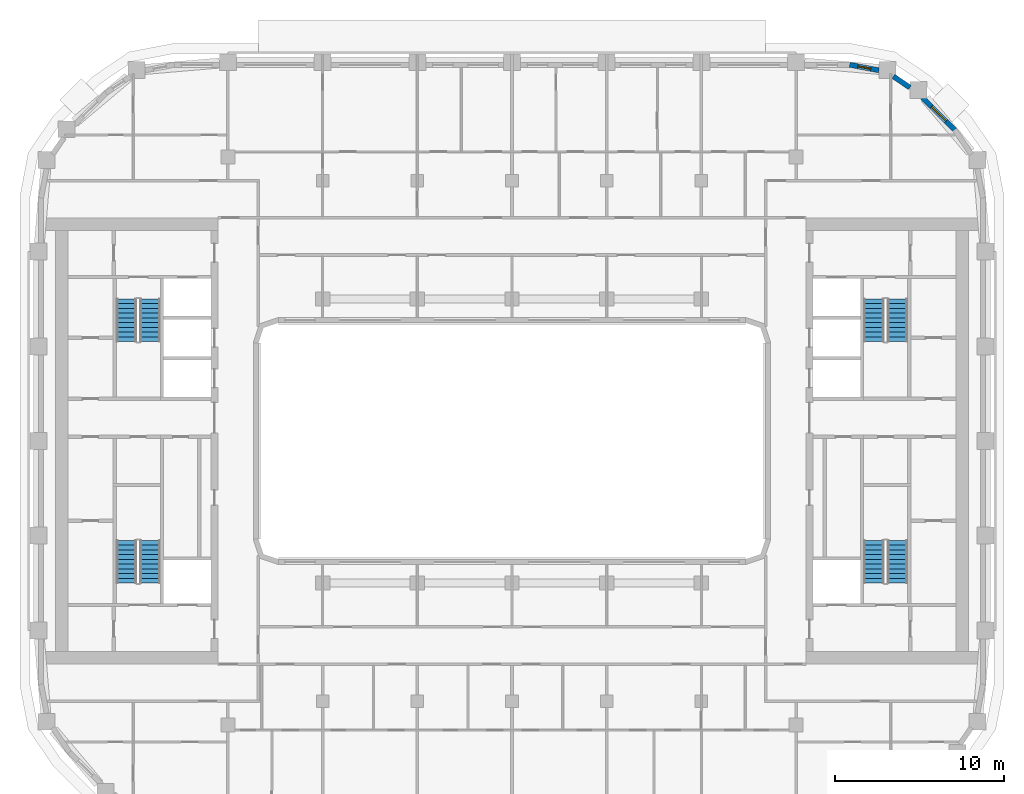
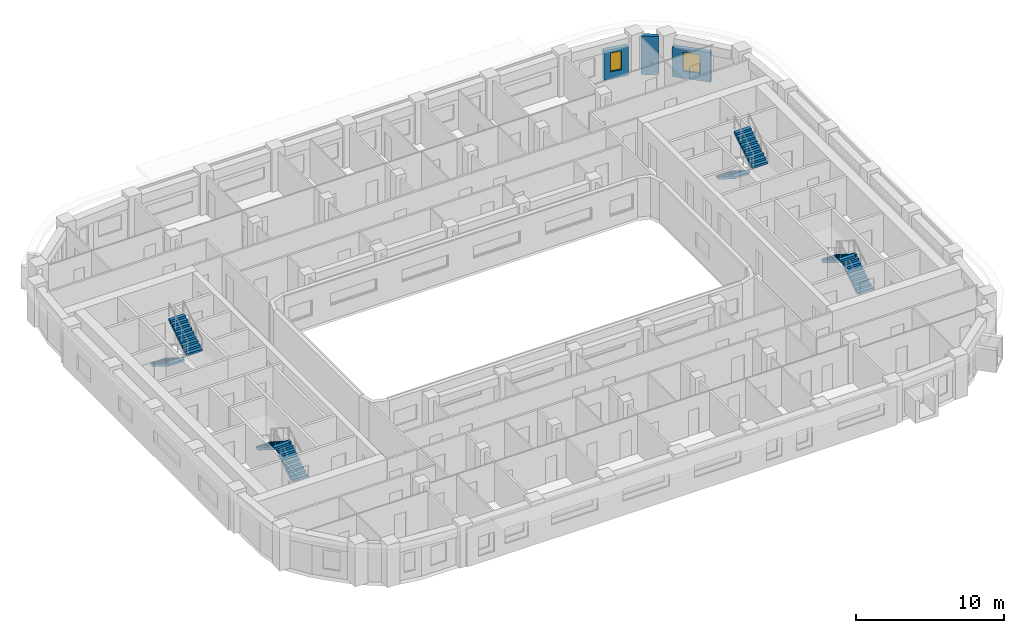
# One storey, part 10 of 22: 8 stair flights, 3 walls, 2 windows, 2 openings, 4 elements without a shape of their own.
"""IFC4 building model written with IfcOpenShell, lengths in metres."""

from ifc_helpers import new_model, si_unit, direction, frame, frame_2d, origin, place, context, subcontext, project, spatial, polyline, rectangle, outline, extrude, material, layer, layer_set, type_object, element, fill, aggregate, save


model = new_model("IFC4")

# Units and contexts
model_context = context("Model", 3, precision=1e-05, world=origin(), true_north=direction((0.0, 1.0)))
body_context = subcontext(model_context, "Body", "Model", "MODEL_VIEW")
ifc_project = project(units=[si_unit("LENGTHUNIT", "METRE"), si_unit("AREAUNIT", "SQUARE_METRE"), si_unit("VOLUMEUNIT", "CUBIC_METRE"), si_unit("PLANEANGLEUNIT", "RADIAN"), si_unit("MASSUNIT", "GRAM", prefix="KILO")], contexts=[model_context])

# Site, building, storey
site_placement = place(None, origin())
site = spatial("IfcSite", under=ifc_project, at=site_placement, CompositionType="ELEMENT")
building_placement = place(site_placement, origin())
building = spatial("IfcBuilding", under=site, at=building_placement, Name="Kiln Ring Residences", CompositionType="ELEMENT")
storey_placement = place(building_placement, frame((0.0, 0.0, 164.10009765625)))
storey = spatial("IfcBuildingStorey", under=building, at=storey_placement, Name="L42", CompositionType="ELEMENT", Elevation=164.10009765625)

# Wall, opening, window
ifc_material_1 = material(Name="Brick masonry, dark clay brick", Category="masonry")
ifc_layer = layer(ifc_material_1, 0.300048828125)
ifc_layer_set = layer_set([ifc_layer], Name="EW-300 BRICK WALL")
wall_type = type_object("IfcWallType", Name="EW-300 BRICK WALL", PredefinedType="SOLIDWALL", material=ifc_layer_set)
wall_1_placement = place(storey_placement, frame((26.19677734375, 18.390869140625, 0.0), z_axis=(0.0, 0.0, 1.0), x_axis=(-0.707061571201, 0.707151988282, 0.0)))
wall_1 = element("IfcWall", 1, at=wall_1_placement, inside=storey, type_object=wall_type, Name="Facade wall L42 25", PredefinedType="SOLIDWALL", context=body_context, shape_type="SweptSolid", body=[
    extrude(rectangle(XDim=2.7001953125, YDim=0.300048828125, at=frame_2d((1.35009765625, 0.0))), origin(), (0.0, 0.0, 1.0), 2.449951171875),
])
opening_1_placement = place(wall_1_placement, frame((0.75, 0.0, 0.60009765625)))
opening_1 = element("IfcOpeningElement", 2, at=opening_1_placement, cuts=wall_1, Name="Opening W1", PredefinedType="OPENING", context=body_context, shape_type="SweptSolid", body=[
    extrude(rectangle(XDim=1.199951171875, YDim=1.550048828125, at=frame_2d((0.60009765625, 0.77490234375))), frame((0.0, 0.159912109375, 0.0), z_axis=(0.0, -1.0, 0.0), x_axis=(1.0, 0.0, 0.0)), (0.0, 0.0, 1.0), 0.320068359375),
])
ifc_material_2 = material(Name="Aluminium frame with double glazing", Category="aluminium")
window_type_1 = type_object("IfcWindowType", Name="WINDOW 1200 x 1550", PartitioningType="SINGLE_PANEL", PredefinedType="WINDOW", material=ifc_material_2)
window_1_placement = place(opening_1_placement, origin())
window_1 = element("IfcWindow", 3, at=window_1_placement, inside=storey, type_object=window_type_1, Name="Window L42 16", OverallHeight=1.550048828125, OverallWidth=1.199951171875, PartitioningType="SINGLE_PANEL", PredefinedType="WINDOW", context=body_context, shape_type="SweptSolid", body=[
    extrude(rectangle(XDim=1.199951171875, YDim=1.550048828125, at=frame_2d((0.60009765625, 0.77490234375))), frame((0.0, 0.030029296875, 0.0), z_axis=(0.0, -1.0, 0.0), x_axis=(1.0, 0.0, 0.0)), (0.0, 0.0, 1.0), 0.06005859375),
])
fill(opening_1, window_1)

# Wall
wall_2_placement = place(storey_placement, frame((23.533935546875, 20.904296875, 0.0), z_axis=(0.0, 0.0, 1.0), x_axis=(-0.827103906596, 0.56204904385, 0.0)))
element("IfcWall", 4, at=wall_2_placement, inside=storey, type_object=wall_type, Name="Facade wall L42 26", PredefinedType="SOLIDWALL", context=body_context, shape_type="SweptSolid", body=[
    extrude(rectangle(XDim=1.17724609375, YDim=0.300048828125, at=frame_2d((0.588623046875, 0.0))), origin(), (0.0, 0.0, 1.0), 3.199951171875),
])

# Wall, opening, window
wall_3_placement = place(storey_placement, frame((21.697021484375, 21.923583984375, 0.0), z_axis=(0.0, 0.0, 1.0), x_axis=(-0.982284988433, 0.187393173565, 0.0)))
wall_3 = element("IfcWall", 5, at=wall_3_placement, inside=storey, type_object=wall_type, Name="Facade wall L42 27", PredefinedType="SOLIDWALL", context=body_context, shape_type="SweptSolid", body=[
    extrude(rectangle(XDim=1.756103515625, YDim=0.300048828125, at=frame_2d((0.8779296875, 0.0))), origin(), (0.0, 0.0, 1.0), 2.449951171875),
])
opening_2_placement = place(wall_3_placement, frame((0.47802734375, 0.0, 0.60009765625)))
opening_2 = element("IfcOpeningElement", 6, at=opening_2_placement, cuts=wall_3, Name="Opening W5", PredefinedType="OPENING", context=body_context, shape_type="SweptSolid", body=[
    extrude(rectangle(XDim=0.800048828125, YDim=1.550048828125, at=frame_2d((0.39990234375, 0.77490234375))), frame((0.0, 0.159912109375, 0.0), z_axis=(0.0, -1.0, 0.0), x_axis=(1.0, 0.0, 0.0)), (0.0, 0.0, 1.0), 0.320068359375),
])
ifc_material_3 = material(Name="Aluminium frame with double glazing", Category="aluminium")
window_type_2 = type_object("IfcWindowType", Name="WINDOW 800 x 1550", PartitioningType="SINGLE_PANEL", PredefinedType="WINDOW", material=ifc_material_3)
window_2_placement = place(opening_2_placement, origin())
window_2 = element("IfcWindow", 7, at=window_2_placement, inside=storey, type_object=window_type_2, Name="Window L42 17", OverallHeight=1.550048828125, OverallWidth=0.800048828125, PartitioningType="SINGLE_PANEL", PredefinedType="WINDOW", context=body_context, shape_type="SweptSolid", body=[
    extrude(rectangle(XDim=0.800048828125, YDim=1.550048828125, at=frame_2d((0.39990234375, 0.77490234375))), frame((0.0, 0.030029296875, 0.0), z_axis=(0.0, -1.0, 0.0), x_axis=(1.0, 0.0, 0.0)), (0.0, 0.0, 1.0), 0.06005859375),
])
fill(opening_2, window_2)

# Stair, stair flights
ifc_material_4 = material(Name="Concrete C40/50", Category="concrete")
stair_type = type_object("IfcStairType", Name="CORE-STAIR", PredefinedType="HALF_TURN_STAIR", material=ifc_material_4)
placement = place(storey_placement, origin())
stair_1 = element("IfcStair", 8, at=placement, inside=storey, type_object=stair_type, Name="L42 stair W-STN", PredefinedType="HALF_TURN_STAIR")
ifc_material_5 = material(Name="Concrete C40/50", Category="concrete")
stair_flight_type = type_object("IfcStairFlightType", Name="CORE-STAIR-FLIGHT", PredefinedType="STRAIGHT", material=ifc_material_5)
stair_flight_1_placement = place(storey_placement, frame((-22.800048828125, 8.39990234375, 0.0), z_axis=(0.0, 0.0, 1.0), x_axis=(0.0, -1.0, 0.0)))
stair_flight_1 = element("IfcStairFlight", 9, at=stair_flight_1_placement, type_object=stair_flight_type, Name="W-STN flight 1", NumberOfRisers=10, NumberOfTreads=9, PredefinedType="STRAIGHT", RiserHeight=0.175, TreadLength=0.28, context=body_context, shape_type="SweptSolid", body=[
    extrude(outline(polyline([(0.0, 0.0), (0.0, 0.175048828125), (0.280029296875, 0.175048828125), (0.280029296875, 0.35009765625), (0.56005859375, 0.35009765625), (0.56005859375, 0.52490234375), (0.840087890625, 0.52490234375), (0.840087890625, 0.699951171875), (1.1201171875, 0.699951171875), (1.1201171875, 0.875), (1.39990234375, 0.875), (1.39990234375, 1.050048828125), (1.679931640625, 1.050048828125), (1.679931640625, 1.22509765625), (1.9599609375, 1.22509765625), (1.9599609375, 1.39990234375), (2.239990234375, 1.39990234375), (2.239990234375, 1.574951171875), (2.52001953125, 1.574951171875), (2.52001953125, 1.75), (2.52001953125, 1.398193359375), (0.28271484375, 0.0), (0.0, 0.0)])), frame((0.0, 0.60009765625, 0.0), z_axis=(0.0, -1.0, 0.0), x_axis=(1.0, 0.0, 0.0)), (0.0, 0.0, 1.0), 1.199951171875),
])
stair_flight_2_placement = place(storey_placement, frame((-21.39990234375, 5.8798828125, 1.75), z_axis=(0.0, 0.0, 1.0), x_axis=(0.0, 1.0, 0.0)))
stair_flight_2 = element("IfcStairFlight", 10, at=stair_flight_2_placement, type_object=stair_flight_type, Name="W-STN flight 2", NumberOfRisers=10, NumberOfTreads=9, PredefinedType="STRAIGHT", RiserHeight=0.175, TreadLength=0.28, context=body_context, shape_type="SweptSolid", body=[
    extrude(outline(polyline([(0.0, 0.0), (0.0, 0.175048828125), (0.280029296875, 0.175048828125), (0.280029296875, 0.35009765625), (0.56005859375, 0.35009765625), (0.56005859375, 0.52490234375), (0.840087890625, 0.52490234375), (0.840087890625, 0.699951171875), (1.1201171875, 0.699951171875), (1.1201171875, 0.875), (1.39990234375, 0.875), (1.39990234375, 1.050048828125), (1.679931640625, 1.050048828125), (1.679931640625, 1.22509765625), (1.9599609375, 1.22509765625), (1.9599609375, 1.39990234375), (2.239990234375, 1.39990234375), (2.239990234375, 1.574951171875), (2.52001953125, 1.574951171875), (2.52001953125, 1.75), (2.52001953125, 1.398193359375), (0.28271484375, 0.0), (0.0, 0.0)])), frame((0.0, 0.60009765625, 0.0), z_axis=(0.0, -1.0, 0.0), x_axis=(1.0, 0.0, 0.0)), (0.0, 0.0, 1.0), 1.199951171875),
])
aggregate(stair_1, [stair_flight_1, stair_flight_2])

stair_2 = element("IfcStair", 11, at=placement, inside=storey, type_object=stair_type, Name="L42 stair W-STS", PredefinedType="HALF_TURN_STAIR")
stair_flight_3_placement = place(storey_placement, frame((-21.39990234375, -8.39990234375, 0.0), z_axis=(0.0, 0.0, 1.0), x_axis=(0.0, 1.0, 0.0)))
stair_flight_3 = element("IfcStairFlight", 12, at=stair_flight_3_placement, type_object=stair_flight_type, Name="W-STS flight 1", NumberOfRisers=10, NumberOfTreads=9, PredefinedType="STRAIGHT", RiserHeight=0.175, TreadLength=0.28, context=body_context, shape_type="SweptSolid", body=[
    extrude(outline(polyline([(0.0, 0.0), (0.0, 0.175048828125), (0.280029296875, 0.175048828125), (0.280029296875, 0.35009765625), (0.56005859375, 0.35009765625), (0.56005859375, 0.52490234375), (0.840087890625, 0.52490234375), (0.840087890625, 0.699951171875), (1.1201171875, 0.699951171875), (1.1201171875, 0.875), (1.39990234375, 0.875), (1.39990234375, 1.050048828125), (1.679931640625, 1.050048828125), (1.679931640625, 1.22509765625), (1.9599609375, 1.22509765625), (1.9599609375, 1.39990234375), (2.239990234375, 1.39990234375), (2.239990234375, 1.574951171875), (2.52001953125, 1.574951171875), (2.52001953125, 1.75), (2.52001953125, 1.398193359375), (0.28271484375, 0.0), (0.0, 0.0)])), frame((0.0, 0.60009765625, 0.0), z_axis=(0.0, -1.0, 0.0), x_axis=(1.0, 0.0, 0.0)), (0.0, 0.0, 1.0), 1.199951171875),
])
stair_flight_4_placement = place(storey_placement, frame((-22.800048828125, -5.8798828125, 1.75), z_axis=(0.0, 0.0, 1.0), x_axis=(0.0, -1.0, 0.0)))
stair_flight_4 = element("IfcStairFlight", 13, at=stair_flight_4_placement, type_object=stair_flight_type, Name="W-STS flight 2", NumberOfRisers=10, NumberOfTreads=9, PredefinedType="STRAIGHT", RiserHeight=0.175, TreadLength=0.28, context=body_context, shape_type="SweptSolid", body=[
    extrude(outline(polyline([(0.0, 0.0), (0.0, 0.175048828125), (0.280029296875, 0.175048828125), (0.280029296875, 0.35009765625), (0.56005859375, 0.35009765625), (0.56005859375, 0.52490234375), (0.840087890625, 0.52490234375), (0.840087890625, 0.699951171875), (1.1201171875, 0.699951171875), (1.1201171875, 0.875), (1.39990234375, 0.875), (1.39990234375, 1.050048828125), (1.679931640625, 1.050048828125), (1.679931640625, 1.22509765625), (1.9599609375, 1.22509765625), (1.9599609375, 1.39990234375), (2.239990234375, 1.39990234375), (2.239990234375, 1.574951171875), (2.52001953125, 1.574951171875), (2.52001953125, 1.75), (2.52001953125, 1.398193359375), (0.28271484375, 0.0), (0.0, 0.0)])), frame((0.0, 0.60009765625, 0.0), z_axis=(0.0, -1.0, 0.0), x_axis=(1.0, 0.0, 0.0)), (0.0, 0.0, 1.0), 1.199951171875),
])
aggregate(stair_2, [stair_flight_3, stair_flight_4])

stair_3 = element("IfcStair", 14, at=placement, inside=storey, type_object=stair_type, Name="L42 stair E-STN", PredefinedType="HALF_TURN_STAIR")
stair_flight_5_placement = place(storey_placement, frame((21.39990234375, 8.39990234375, 0.0), z_axis=(0.0, 0.0, 1.0), x_axis=(0.0, -1.0, 0.0)))
stair_flight_5 = element("IfcStairFlight", 15, at=stair_flight_5_placement, type_object=stair_flight_type, Name="E-STN flight 1", NumberOfRisers=10, NumberOfTreads=9, PredefinedType="STRAIGHT", RiserHeight=0.175, TreadLength=0.28, context=body_context, shape_type="SweptSolid", body=[
    extrude(outline(polyline([(0.0, 0.0), (0.0, 0.175048828125), (0.280029296875, 0.175048828125), (0.280029296875, 0.35009765625), (0.56005859375, 0.35009765625), (0.56005859375, 0.52490234375), (0.840087890625, 0.52490234375), (0.840087890625, 0.699951171875), (1.1201171875, 0.699951171875), (1.1201171875, 0.875), (1.39990234375, 0.875), (1.39990234375, 1.050048828125), (1.679931640625, 1.050048828125), (1.679931640625, 1.22509765625), (1.9599609375, 1.22509765625), (1.9599609375, 1.39990234375), (2.239990234375, 1.39990234375), (2.239990234375, 1.574951171875), (2.52001953125, 1.574951171875), (2.52001953125, 1.75), (2.52001953125, 1.398193359375), (0.28271484375, 0.0), (0.0, 0.0)])), frame((0.0, 0.60009765625, 0.0), z_axis=(0.0, -1.0, 0.0), x_axis=(1.0, 0.0, 0.0)), (0.0, 0.0, 1.0), 1.199951171875),
])
stair_flight_6_placement = place(storey_placement, frame((22.800048828125, 5.8798828125, 1.75), z_axis=(0.0, 0.0, 1.0), x_axis=(0.0, 1.0, 0.0)))
stair_flight_6 = element("IfcStairFlight", 16, at=stair_flight_6_placement, type_object=stair_flight_type, Name="E-STN flight 2", NumberOfRisers=10, NumberOfTreads=9, PredefinedType="STRAIGHT", RiserHeight=0.175, TreadLength=0.28, context=body_context, shape_type="SweptSolid", body=[
    extrude(outline(polyline([(0.0, 0.0), (0.0, 0.175048828125), (0.280029296875, 0.175048828125), (0.280029296875, 0.35009765625), (0.56005859375, 0.35009765625), (0.56005859375, 0.52490234375), (0.840087890625, 0.52490234375), (0.840087890625, 0.699951171875), (1.1201171875, 0.699951171875), (1.1201171875, 0.875), (1.39990234375, 0.875), (1.39990234375, 1.050048828125), (1.679931640625, 1.050048828125), (1.679931640625, 1.22509765625), (1.9599609375, 1.22509765625), (1.9599609375, 1.39990234375), (2.239990234375, 1.39990234375), (2.239990234375, 1.574951171875), (2.52001953125, 1.574951171875), (2.52001953125, 1.75), (2.52001953125, 1.398193359375), (0.28271484375, 0.0), (0.0, 0.0)])), frame((0.0, 0.60009765625, 0.0), z_axis=(0.0, -1.0, 0.0), x_axis=(1.0, 0.0, 0.0)), (0.0, 0.0, 1.0), 1.199951171875),
])
aggregate(stair_3, [stair_flight_5, stair_flight_6])

stair_4 = element("IfcStair", 17, at=placement, inside=storey, type_object=stair_type, Name="L42 stair E-STS", PredefinedType="HALF_TURN_STAIR")
stair_flight_7_placement = place(storey_placement, frame((22.800048828125, -8.39990234375, 0.0), z_axis=(0.0, 0.0, 1.0), x_axis=(0.0, 1.0, 0.0)))
stair_flight_7 = element("IfcStairFlight", 18, at=stair_flight_7_placement, type_object=stair_flight_type, Name="E-STS flight 1", NumberOfRisers=10, NumberOfTreads=9, PredefinedType="STRAIGHT", RiserHeight=0.175, TreadLength=0.28, context=body_context, shape_type="SweptSolid", body=[
    extrude(outline(polyline([(0.0, 0.0), (0.0, 0.175048828125), (0.280029296875, 0.175048828125), (0.280029296875, 0.35009765625), (0.56005859375, 0.35009765625), (0.56005859375, 0.52490234375), (0.840087890625, 0.52490234375), (0.840087890625, 0.699951171875), (1.1201171875, 0.699951171875), (1.1201171875, 0.875), (1.39990234375, 0.875), (1.39990234375, 1.050048828125), (1.679931640625, 1.050048828125), (1.679931640625, 1.22509765625), (1.9599609375, 1.22509765625), (1.9599609375, 1.39990234375), (2.239990234375, 1.39990234375), (2.239990234375, 1.574951171875), (2.52001953125, 1.574951171875), (2.52001953125, 1.75), (2.52001953125, 1.398193359375), (0.28271484375, 0.0), (0.0, 0.0)])), frame((0.0, 0.60009765625, 0.0), z_axis=(0.0, -1.0, 0.0), x_axis=(1.0, 0.0, 0.0)), (0.0, 0.0, 1.0), 1.199951171875),
])
stair_flight_8_placement = place(storey_placement, frame((21.39990234375, -5.8798828125, 1.75), z_axis=(0.0, 0.0, 1.0), x_axis=(0.0, -1.0, 0.0)))
stair_flight_8 = element("IfcStairFlight", 19, at=stair_flight_8_placement, type_object=stair_flight_type, Name="E-STS flight 2", NumberOfRisers=10, NumberOfTreads=9, PredefinedType="STRAIGHT", RiserHeight=0.175, TreadLength=0.28, context=body_context, shape_type="SweptSolid", body=[
    extrude(outline(polyline([(0.0, 0.0), (0.0, 0.175048828125), (0.280029296875, 0.175048828125), (0.280029296875, 0.35009765625), (0.56005859375, 0.35009765625), (0.56005859375, 0.52490234375), (0.840087890625, 0.52490234375), (0.840087890625, 0.699951171875), (1.1201171875, 0.699951171875), (1.1201171875, 0.875), (1.39990234375, 0.875), (1.39990234375, 1.050048828125), (1.679931640625, 1.050048828125), (1.679931640625, 1.22509765625), (1.9599609375, 1.22509765625), (1.9599609375, 1.39990234375), (2.239990234375, 1.39990234375), (2.239990234375, 1.574951171875), (2.52001953125, 1.574951171875), (2.52001953125, 1.75), (2.52001953125, 1.398193359375), (0.28271484375, 0.0), (0.0, 0.0)])), frame((0.0, 0.60009765625, 0.0), z_axis=(0.0, -1.0, 0.0), x_axis=(1.0, 0.0, 0.0)), (0.0, 0.0, 1.0), 1.199951171875),
])
aggregate(stair_4, [stair_flight_7, stair_flight_8])

save(model, "model.ifc")
